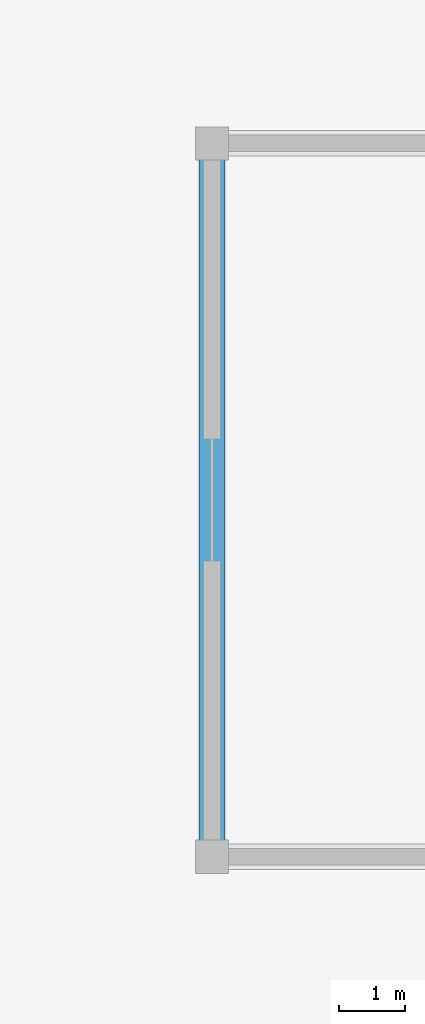
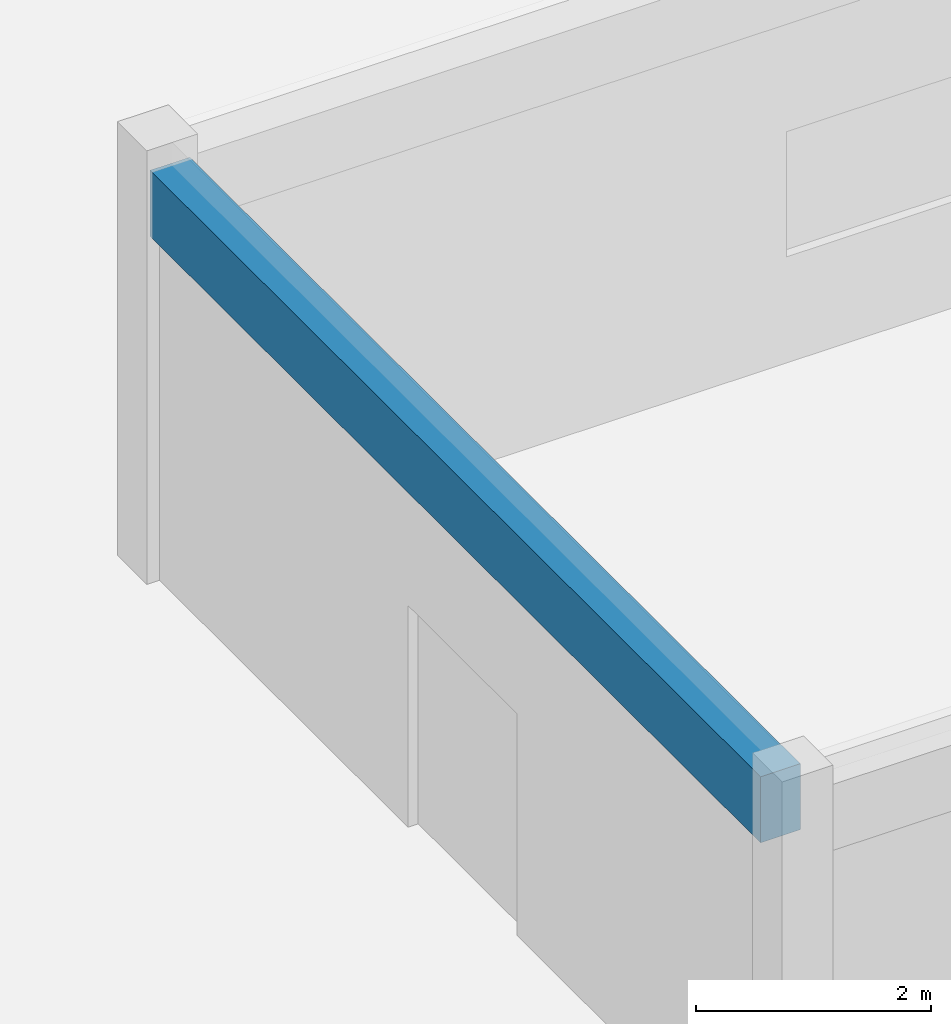
# One storey, part 40 of 160: 1 beam.
"""IFC4 building model written with IfcOpenShell, lengths in metres."""

from ifc_helpers import new_model, si_unit, direction, frame, origin, origin_2d, place, context, subcontext, project, spatial, rectangle, extrude, material, material_profile, profile_set, type_object, element, save


model = new_model("IFC4")

# Units and contexts
model_context = context("Model", 3, precision=1e-05, world=origin(), true_north=direction((0.0, 1.0)))
body_context = subcontext(model_context, "Body", "Model", "MODEL_VIEW")
ifc_project = project(units=[si_unit("LENGTHUNIT", "METRE"), si_unit("AREAUNIT", "SQUARE_METRE"), si_unit("VOLUMEUNIT", "CUBIC_METRE"), si_unit("PLANEANGLEUNIT", "RADIAN"), si_unit("MASSUNIT", "GRAM", prefix="KILO")], contexts=[model_context])

# Site, building, storey
site_placement = place(None, origin())
site = spatial("IfcSite", under=ifc_project, at=site_placement, CompositionType="ELEMENT")
building_placement = place(site_placement, origin())
building = spatial("IfcBuilding", under=site, at=building_placement, Name="Thalmaran Polytechnic", CompositionType="ELEMENT")
storey_placement = place(building_placement, origin())
storey = spatial("IfcBuildingStorey", under=building, at=storey_placement, Name="L00", CompositionType="ELEMENT", Elevation=0.0)

# Beam
ifc_material = material(Name="Concrete C40/50", Category="concrete")
ifc_material_profile = material_profile(ifc_material, rectangle(XDim=0.389892578125, YDim=0.68505859375, at=origin_2d()), Name="RC 390x685")
ifc_profile_set = profile_set([ifc_material_profile], Name="Concrete C40/50")
beam_type = type_object("IfcBeamType", Name="BM-RC08", PredefinedType="BEAM", material=ifc_profile_set)
beam_placement = place(storey_placement, frame((122.39990234375, 32.610107421875, 3.91259765625), z_axis=(0.0, 1.0, 0.0), x_axis=(-1.0, 0.0, 0.0)))
element("IfcBeam", 1, at=beam_placement, inside=storey, type_object=beam_type, Name="POD3 Edge Beam Y", PredefinedType="BEAM", context=body_context, shape_type="SweptSolid", body=[
    extrude(rectangle(XDim=0.389892578125, YDim=0.68505859375, at=origin_2d()), origin(), (0.0, 0.0, 1.0), 10.3798828125),
])

save(model, "model.ifc")
